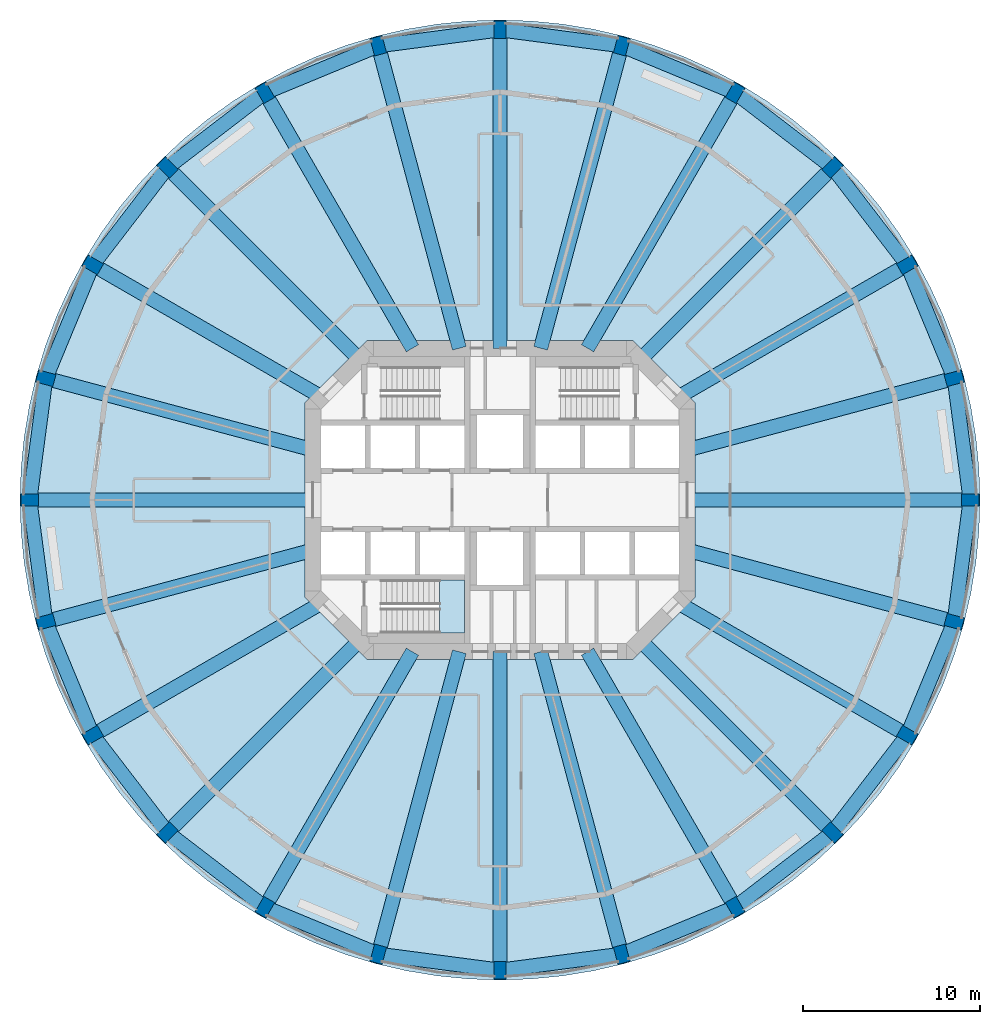
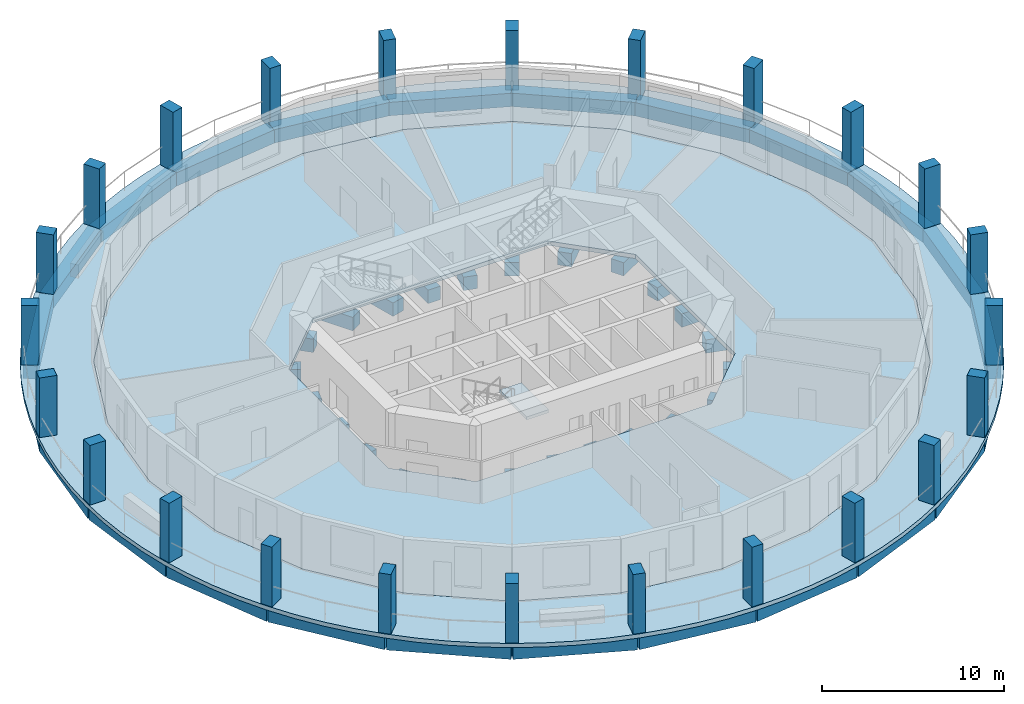
# One storey, part 1 of 9: 48 beams, 24 columns, 3 slabs, 1 element without a shape of its own.
"""IFC4 building model written with IfcOpenShell, lengths in metres."""

from ifc_helpers import new_model, si_unit, direction, frame, origin, origin_2d, place, context, subcontext, project, spatial, polyline, rectangle, outline, extrude, material, layer, layer_set, material_profile, profile_set, type_object, element, aggregate, save


model = new_model("IFC4")

# Units and contexts
model_context = context("Model", 3, precision=1e-05, world=origin(), true_north=direction((0.0, 1.0)))
body_context = subcontext(model_context, "Body", "Model", "MODEL_VIEW")
ifc_project = project(units=[si_unit("LENGTHUNIT", "METRE"), si_unit("AREAUNIT", "SQUARE_METRE"), si_unit("VOLUMEUNIT", "CUBIC_METRE"), si_unit("PLANEANGLEUNIT", "RADIAN"), si_unit("MASSUNIT", "GRAM", prefix="KILO")], contexts=[model_context])

# Site, building, storey
site_placement = place(None, origin())
site = spatial("IfcSite", under=ifc_project, at=site_placement, CompositionType="ELEMENT")
building_placement = place(site_placement, origin())
building = spatial("IfcBuilding", under=site, at=building_placement, Name="Torre Triforio", CompositionType="ELEMENT")
storey_placement = place(building_placement, frame((0.0, 0.0, 51.0)))
storey = spatial("IfcBuildingStorey", under=building, at=storey_placement, Name="L10", CompositionType="ELEMENT", Elevation=51.0)

# Columns
ifc_material_1 = material(Name="Concrete C70", Category="concrete")
ifc_material_profile_1 = material_profile(ifc_material_1, rectangle(XDim=0.699951171875, YDim=1.0, at=origin_2d()), Name="RC 700x1000")
ifc_profile_set_1 = profile_set([ifc_material_profile_1], Name="Concrete C70")
column_type = type_object("IfcColumnType", Name="Pier RC 700x1000 C70", PredefinedType="COLUMN", material=ifc_profile_set_1)
for number, where, z_axis, x_axis, name in (
    (1, (26.5, 0.0, 0.0), (0.0, 0.0, 1.0), (0.0, 1.0, 0.0), "COL.R.L10.00"),
    (2, (25.596923828125, 6.858642578125, 0.0), (0.0, 0.0, 1.0), (-0.258819045103, 0.965925826289, 0.0), "COL.R.L10.01"),
    (3, (22.94970703125, 13.25, 0.0), (0.0, 0.0, 1.0), (-0.5, 0.866025403784, 0.0), "COL.R.L10.02"),
    (4, (18.73828125, 18.73828125, 0.0), (0.0, 0.0, 1.0), (-0.707106781187, 0.707106781187, 0.0), "COL.R.L10.03"),
    (5, (13.25, 22.94970703125, 0.0), (0.0, 0.0, 1.0), (-0.866025403784, 0.5, 0.0), "COL.R.L10.04"),
    (6, (6.858642578125, 25.596923828125, 0.0), (0.0, 0.0, 1.0), (-0.965925826289, 0.258819045103, 0.0), "COL.R.L10.05"),
    (7, (0.0, 26.5, 0.0), (0.0, 0.0, 1.0), (-1.0, 0.0, 0.0), "COL.R.L10.06"),
    (8, (-6.858642578125, 25.596923828125, 0.0), (0.0, 0.0, 1.0), (-0.965925826289, -0.258819045103, 0.0), "COL.R.L10.07"),
    (9, (-13.25, 22.94970703125, 0.0), (0.0, 0.0, 1.0), (-0.866025403784, -0.5, 0.0), "COL.R.L10.08"),
    (10, (-18.73828125, 18.73828125, 0.0), (0.0, 0.0, 1.0), (-0.707106781187, -0.707106781187, 0.0), "COL.R.L10.09"),
    (11, (-22.94970703125, 13.25, 0.0), (0.0, 0.0, 1.0), (-0.5, -0.866025403784, 0.0), "COL.R.L10.10"),
    (12, (-25.596923828125, 6.858642578125, 0.0), (0.0, 0.0, 1.0), (-0.258819045103, -0.965925826289, 0.0), "COL.R.L10.11"),
    (13, (-26.5, 0.0, 0.0), (0.0, 0.0, 1.0), (0.0, -1.0, 0.0), "COL.R.L10.12"),
    (14, (-25.596923828125, -6.858642578125, 0.0), (0.0, 0.0, 1.0), (0.258819045103, -0.965925826289, 0.0), "COL.R.L10.13"),
    (15, (-22.94970703125, -13.25, 0.0), (0.0, 0.0, 1.0), (0.5, -0.866025403784, 0.0), "COL.R.L10.14"),
    (16, (-18.73828125, -18.73828125, 0.0), (0.0, 0.0, 1.0), (0.707106781187, -0.707106781187, 0.0), "COL.R.L10.15"),
    (17, (-13.25, -22.94970703125, 0.0), (0.0, 0.0, 1.0), (0.866025403784, -0.5, 0.0), "COL.R.L10.16"),
    (18, (-6.858642578125, -25.596923828125, 0.0), (0.0, 0.0, 1.0), (0.965925826289, -0.258819045103, 0.0), "COL.R.L10.17"),
    (19, (0.0, -26.5, 0.0), (0.0, 0.0, 1.0), (1.0, 0.0, 0.0), "COL.R.L10.18"),
    (20, (6.858642578125, -25.596923828125, 0.0), (0.0, 0.0, 1.0), (0.965925826289, 0.258819045103, 0.0), "COL.R.L10.19"),
    (21, (13.25, -22.94970703125, 0.0), (0.0, 0.0, 1.0), (0.866025403784, 0.5, 0.0), "COL.R.L10.20"),
    (22, (18.73828125, -18.73828125, 0.0), (0.0, 0.0, 1.0), (0.707106781187, 0.707106781187, 0.0), "COL.R.L10.21"),
    (23, (22.94970703125, -13.25, 0.0), (0.0, 0.0, 1.0), (0.5, 0.866025403784, 0.0), "COL.R.L10.22"),
    (24, (25.596923828125, -6.858642578125, 0.0), (0.0, 0.0, 1.0), (0.258819045103, 0.965925826289, 0.0), "COL.R.L10.23"),
):
    element("IfcColumn", number, at=place(storey_placement, frame(where, z_axis=z_axis, x_axis=x_axis)), inside=storey, type_object=column_type, Name=name, PredefinedType="COLUMN", context=body_context, shape_type="SweptSolid", body=[
        extrude(rectangle(XDim=0.699951171875, YDim=1.0, at=origin_2d()), origin(), (0.0, 0.0, 1.0), 4.0),
    ])

# Beams
ifc_material_2 = material(Name="Concrete C50", Category="concrete")
ifc_material_profile_2 = material_profile(ifc_material_2, rectangle(XDim=0.800048828125, YDim=0.89990234375, at=origin_2d()), Name="RC 800x900")
ifc_profile_set_2 = profile_set([ifc_material_profile_2], Name="Concrete C50")
beam_type_1 = type_object("IfcBeamType", Name="Radial beam RC 800x900 C50", PredefinedType="BEAM", material=ifc_profile_set_2)
beam_1_placement = place(storey_placement, frame((10.550048828125, 0.0, -0.72998046875), z_axis=(1.0, 0.0, 0.0), x_axis=(0.0, 1.0, 0.0)))
element("IfcBeam", 25, at=beam_1_placement, inside=storey, type_object=beam_type_1, Name="BM.R.L10.00", PredefinedType="BEAM", context=body_context, shape_type="SweptSolid", body=[
    extrude(rectangle(XDim=0.800048828125, YDim=0.89990234375, at=origin_2d()), origin(), (0.0, 0.0, 1.0), 15.949951171875),
])
beam_2_placement = place(storey_placement, frame((10.550048828125, 2.826904296875, -0.72998046875), z_axis=(0.965926784764, 0.258815467997, 0.0), x_axis=(-0.258815467997, 0.965926784764, 0.0)))
element("IfcBeam", 26, at=beam_2_placement, inside=storey, type_object=beam_type_1, Name="BM.R.L10.01", PredefinedType="BEAM", context=body_context, shape_type="SweptSolid", body=[
    extrude(rectangle(XDim=0.800048828125, YDim=0.89990234375, at=origin_2d()), origin(), (0.0, 0.0, 1.0), 15.57763671875),
])
beam_3_placement = place(storey_placement, frame((10.039794921875, 5.796630859375, -0.72998046875), z_axis=(0.866030402573, 0.499991341745, 0.0), x_axis=(-0.499991341745, 0.866030402573, 0.0)))
element("IfcBeam", 27, at=beam_3_placement, inside=storey, type_object=beam_type_1, Name="BM.R.L10.02", PredefinedType="BEAM", context=body_context, shape_type="SweptSolid", body=[
    extrude(rectangle(XDim=0.800048828125, YDim=0.89990234375, at=origin_2d()), origin(), (0.0, 0.0, 1.0), 14.906982421875),
])
beam_4_placement = place(storey_placement, frame((7.918212890625, 7.918212890625, -0.72998046875), z_axis=(0.707106781187, 0.707106781187, 0.0), x_axis=(-0.707106781187, 0.707106781187, 0.0)))
element("IfcBeam", 28, at=beam_4_placement, inside=storey, type_object=beam_type_1, Name="BM.R.L10.03", PredefinedType="BEAM", context=body_context, shape_type="SweptSolid", body=[
    extrude(rectangle(XDim=0.800048828125, YDim=0.89990234375, at=origin_2d()), origin(), (0.0, 0.0, 1.0), 15.302001953125),
])
beam_5_placement = place(storey_placement, frame((4.936279296875, 8.550048828125, -0.72998046875), z_axis=(0.500003345241, 0.8660234724, 0.0), x_axis=(-0.8660234724, 0.500003345241, 0.0)))
element("IfcBeam", 29, at=beam_5_placement, inside=storey, type_object=beam_type_1, Name="BM.R.L10.04", PredefinedType="BEAM", context=body_context, shape_type="SweptSolid", body=[
    extrude(rectangle(XDim=0.800048828125, YDim=0.89990234375, at=origin_2d()), origin(), (0.0, 0.0, 1.0), 16.62744140625),
])
beam_6_placement = place(storey_placement, frame((2.291015625, 8.550048828125, -0.72998046875), z_axis=(0.258815374176, 0.965926809903, 0.0), x_axis=(-0.965926809903, 0.258815374176, 0.0)))
element("IfcBeam", 30, at=beam_6_placement, inside=storey, type_object=beam_type_1, Name="BM.R.L10.05", PredefinedType="BEAM", context=body_context, shape_type="SweptSolid", body=[
    extrude(rectangle(XDim=0.800048828125, YDim=0.89990234375, at=origin_2d()), origin(), (0.0, 0.0, 1.0), 17.648193359375),
])
beam_7_placement = place(storey_placement, frame((0.0, 8.550048828125, -0.72998046875), z_axis=(0.0, 1.0, 0.0), x_axis=(-1.0, 0.0, 0.0)))
element("IfcBeam", 31, at=beam_7_placement, inside=storey, type_object=beam_type_1, Name="BM.R.L10.06", PredefinedType="BEAM", context=body_context, shape_type="SweptSolid", body=[
    extrude(rectangle(XDim=0.800048828125, YDim=0.89990234375, at=origin_2d()), origin(), (0.0, 0.0, 1.0), 17.949951171875),
])
beam_8_placement = place(storey_placement, frame((-2.291015625, 8.550048828125, -0.72998046875), z_axis=(-0.258815374176, 0.965926809903, 0.0), x_axis=(-0.965926809903, -0.258815374176, 0.0)))
element("IfcBeam", 32, at=beam_8_placement, inside=storey, type_object=beam_type_1, Name="BM.R.L10.07", PredefinedType="BEAM", context=body_context, shape_type="SweptSolid", body=[
    extrude(rectangle(XDim=0.800048828125, YDim=0.89990234375, at=origin_2d()), origin(), (0.0, 0.0, 1.0), 17.648193359375),
])
beam_9_placement = place(storey_placement, frame((-4.936279296875, 8.550048828125, -0.72998046875), z_axis=(-0.500003345241, 0.8660234724, 0.0), x_axis=(-0.8660234724, -0.500003345241, 0.0)))
element("IfcBeam", 33, at=beam_9_placement, inside=storey, type_object=beam_type_1, Name="BM.R.L10.08", PredefinedType="BEAM", context=body_context, shape_type="SweptSolid", body=[
    extrude(rectangle(XDim=0.800048828125, YDim=0.89990234375, at=origin_2d()), origin(), (0.0, 0.0, 1.0), 16.62744140625),
])
beam_10_placement = place(storey_placement, frame((-7.918212890625, 7.918212890625, -0.72998046875), z_axis=(-0.707106781187, 0.707106781187, 0.0), x_axis=(-0.707106781187, -0.707106781187, 0.0)))
element("IfcBeam", 34, at=beam_10_placement, inside=storey, type_object=beam_type_1, Name="BM.R.L10.09", PredefinedType="BEAM", context=body_context, shape_type="SweptSolid", body=[
    extrude(rectangle(XDim=0.800048828125, YDim=0.89990234375, at=origin_2d()), origin(), (0.0, 0.0, 1.0), 15.302001953125),
])
beam_11_placement = place(storey_placement, frame((-10.039794921875, 5.796630859375, -0.72998046875), z_axis=(-0.866030402573, 0.499991341745, 0.0), x_axis=(-0.499991341745, -0.866030402573, 0.0)))
element("IfcBeam", 35, at=beam_11_placement, inside=storey, type_object=beam_type_1, Name="BM.R.L10.10", PredefinedType="BEAM", context=body_context, shape_type="SweptSolid", body=[
    extrude(rectangle(XDim=0.800048828125, YDim=0.89990234375, at=origin_2d()), origin(), (0.0, 0.0, 1.0), 14.906982421875),
])
beam_12_placement = place(storey_placement, frame((-10.550048828125, 2.826904296875, -0.72998046875), z_axis=(-0.965926784764, 0.258815467997, 0.0), x_axis=(-0.258815467997, -0.965926784764, 0.0)))
element("IfcBeam", 36, at=beam_12_placement, inside=storey, type_object=beam_type_1, Name="BM.R.L10.11", PredefinedType="BEAM", context=body_context, shape_type="SweptSolid", body=[
    extrude(rectangle(XDim=0.800048828125, YDim=0.89990234375, at=origin_2d()), origin(), (0.0, 0.0, 1.0), 15.57763671875),
])
beam_13_placement = place(storey_placement, frame((-10.550048828125, 0.0, -0.72998046875), z_axis=(-1.0, 0.0, 0.0), x_axis=(0.0, -1.0, 0.0)))
element("IfcBeam", 37, at=beam_13_placement, inside=storey, type_object=beam_type_1, Name="BM.R.L10.12", PredefinedType="BEAM", context=body_context, shape_type="SweptSolid", body=[
    extrude(rectangle(XDim=0.800048828125, YDim=0.89990234375, at=origin_2d()), origin(), (0.0, 0.0, 1.0), 15.949951171875),
])
beam_14_placement = place(storey_placement, frame((-10.550048828125, -2.826904296875, -0.72998046875), z_axis=(-0.965926784764, -0.258815467997, 0.0), x_axis=(0.258815467997, -0.965926784764, 0.0)))
element("IfcBeam", 38, at=beam_14_placement, inside=storey, type_object=beam_type_1, Name="BM.R.L10.13", PredefinedType="BEAM", context=body_context, shape_type="SweptSolid", body=[
    extrude(rectangle(XDim=0.800048828125, YDim=0.89990234375, at=origin_2d()), origin(), (0.0, 0.0, 1.0), 15.57763671875),
])
beam_15_placement = place(storey_placement, frame((-10.039794921875, -5.796630859375, -0.72998046875), z_axis=(-0.866030402573, -0.499991341745, 0.0), x_axis=(0.499991341745, -0.866030402573, 0.0)))
element("IfcBeam", 39, at=beam_15_placement, inside=storey, type_object=beam_type_1, Name="BM.R.L10.14", PredefinedType="BEAM", context=body_context, shape_type="SweptSolid", body=[
    extrude(rectangle(XDim=0.800048828125, YDim=0.89990234375, at=origin_2d()), origin(), (0.0, 0.0, 1.0), 14.906982421875),
])
beam_16_placement = place(storey_placement, frame((-7.918212890625, -7.918212890625, -0.72998046875), z_axis=(-0.707106781187, -0.707106781187, 0.0), x_axis=(0.707106781187, -0.707106781187, 0.0)))
element("IfcBeam", 40, at=beam_16_placement, inside=storey, type_object=beam_type_1, Name="BM.R.L10.15", PredefinedType="BEAM", context=body_context, shape_type="SweptSolid", body=[
    extrude(rectangle(XDim=0.800048828125, YDim=0.89990234375, at=origin_2d()), origin(), (0.0, 0.0, 1.0), 15.302001953125),
])
beam_17_placement = place(storey_placement, frame((-4.936279296875, -8.550048828125, -0.72998046875), z_axis=(-0.500003345241, -0.8660234724, 0.0), x_axis=(0.8660234724, -0.500003345241, 0.0)))
element("IfcBeam", 41, at=beam_17_placement, inside=storey, type_object=beam_type_1, Name="BM.R.L10.16", PredefinedType="BEAM", context=body_context, shape_type="SweptSolid", body=[
    extrude(rectangle(XDim=0.800048828125, YDim=0.89990234375, at=origin_2d()), origin(), (0.0, 0.0, 1.0), 16.62744140625),
])
beam_18_placement = place(storey_placement, frame((-2.291015625, -8.550048828125, -0.72998046875), z_axis=(-0.258815374176, -0.965926809903, 0.0), x_axis=(0.965926809903, -0.258815374176, 0.0)))
element("IfcBeam", 42, at=beam_18_placement, inside=storey, type_object=beam_type_1, Name="BM.R.L10.17", PredefinedType="BEAM", context=body_context, shape_type="SweptSolid", body=[
    extrude(rectangle(XDim=0.800048828125, YDim=0.89990234375, at=origin_2d()), origin(), (0.0, 0.0, 1.0), 17.648193359375),
])
beam_19_placement = place(storey_placement, frame((0.0, -8.550048828125, -0.72998046875), z_axis=(0.0, -1.0, 0.0), x_axis=(1.0, 0.0, 0.0)))
element("IfcBeam", 43, at=beam_19_placement, inside=storey, type_object=beam_type_1, Name="BM.R.L10.18", PredefinedType="BEAM", context=body_context, shape_type="SweptSolid", body=[
    extrude(rectangle(XDim=0.800048828125, YDim=0.89990234375, at=origin_2d()), origin(), (0.0, 0.0, 1.0), 17.949951171875),
])
beam_20_placement = place(storey_placement, frame((2.291015625, -8.550048828125, -0.72998046875), z_axis=(0.258815374176, -0.965926809903, 0.0), x_axis=(0.965926809903, 0.258815374176, 0.0)))
element("IfcBeam", 44, at=beam_20_placement, inside=storey, type_object=beam_type_1, Name="BM.R.L10.19", PredefinedType="BEAM", context=body_context, shape_type="SweptSolid", body=[
    extrude(rectangle(XDim=0.800048828125, YDim=0.89990234375, at=origin_2d()), origin(), (0.0, 0.0, 1.0), 17.648193359375),
])
beam_21_placement = place(storey_placement, frame((4.936279296875, -8.550048828125, -0.72998046875), z_axis=(0.500003345241, -0.8660234724, 0.0), x_axis=(0.8660234724, 0.500003345241, 0.0)))
element("IfcBeam", 45, at=beam_21_placement, inside=storey, type_object=beam_type_1, Name="BM.R.L10.20", PredefinedType="BEAM", context=body_context, shape_type="SweptSolid", body=[
    extrude(rectangle(XDim=0.800048828125, YDim=0.89990234375, at=origin_2d()), origin(), (0.0, 0.0, 1.0), 16.62744140625),
])
beam_22_placement = place(storey_placement, frame((7.918212890625, -7.918212890625, -0.72998046875), z_axis=(0.707106781187, -0.707106781187, 0.0), x_axis=(0.707106781187, 0.707106781187, 0.0)))
element("IfcBeam", 46, at=beam_22_placement, inside=storey, type_object=beam_type_1, Name="BM.R.L10.21", PredefinedType="BEAM", context=body_context, shape_type="SweptSolid", body=[
    extrude(rectangle(XDim=0.800048828125, YDim=0.89990234375, at=origin_2d()), origin(), (0.0, 0.0, 1.0), 15.302001953125),
])
beam_23_placement = place(storey_placement, frame((10.039794921875, -5.796630859375, -0.72998046875), z_axis=(0.866030402573, -0.499991341745, 0.0), x_axis=(0.499991341745, 0.866030402573, 0.0)))
element("IfcBeam", 47, at=beam_23_placement, inside=storey, type_object=beam_type_1, Name="BM.R.L10.22", PredefinedType="BEAM", context=body_context, shape_type="SweptSolid", body=[
    extrude(rectangle(XDim=0.800048828125, YDim=0.89990234375, at=origin_2d()), origin(), (0.0, 0.0, 1.0), 14.906982421875),
])
beam_24_placement = place(storey_placement, frame((10.550048828125, -2.826904296875, -0.72998046875), z_axis=(0.965926784764, -0.258815467997, 0.0), x_axis=(0.258815467997, 0.965926784764, 0.0)))
element("IfcBeam", 48, at=beam_24_placement, inside=storey, type_object=beam_type_1, Name="BM.R.L10.23", PredefinedType="BEAM", context=body_context, shape_type="SweptSolid", body=[
    extrude(rectangle(XDim=0.800048828125, YDim=0.89990234375, at=origin_2d()), origin(), (0.0, 0.0, 1.0), 15.57763671875),
])
ifc_material_profile_3 = material_profile(ifc_material_2, rectangle(XDim=0.800048828125, YDim=0.89990234375, at=origin_2d()), Name="RC 800x900")
ifc_profile_set_3 = profile_set([ifc_material_profile_3], Name="Concrete C50")
beam_type_2 = type_object("IfcBeamType", Name="Spandrel beam RC 800x900 C50", PredefinedType="SPANDREL", material=ifc_profile_set_3)
beam_25_placement = place(storey_placement, frame((26.5, 0.0, -0.72998046875), z_axis=(-0.130543064996, 0.991442639885, 0.0), x_axis=(-0.991442639885, -0.130543064996, 0.0)))
element("IfcBeam", 49, at=beam_25_placement, inside=storey, type_object=beam_type_2, Name="BM.S.L10.00", PredefinedType="SPANDREL", context=body_context, shape_type="SweptSolid", body=[
    extrude(rectangle(XDim=0.800048828125, YDim=0.89990234375, at=origin_2d()), origin(), (0.0, 0.0, 1.0), 6.917724609375),
])
for number, where, z_axis, x_axis, name in (
    (50, (25.596923828125, 6.858642578125, -0.72998046875), (-0.382662441128, 0.923888227087, 0.0), (-0.923888227087, -0.382662441128, 0.0), "BM.S.L10.01"),
    (51, (22.94970703125, 13.25, -0.72998046875), (-0.608772297796, 0.793345000259, 0.0), (-0.793345000259, -0.608772297796, 0.0), "BM.S.L10.02"),
    (52, (18.73828125, 18.73828125, -0.72998046875), (-0.793345000259, 0.608772297796, 0.0), (-0.608772297796, -0.793345000259, 0.0), "BM.S.L10.03"),
    (53, (13.25, 22.94970703125, -0.72998046875), (-0.923888227087, 0.382662441128, 0.0), (-0.382662441128, -0.923888227087, 0.0), "BM.S.L10.04"),
):
    element("IfcBeam", number, at=place(storey_placement, frame(where, z_axis=z_axis, x_axis=x_axis)), inside=storey, type_object=beam_type_2, Name=name, PredefinedType="SPANDREL", context=body_context, shape_type="SweptSolid", body=[
        extrude(rectangle(XDim=0.800048828125, YDim=0.89990234375, at=origin_2d()), origin(), (0.0, 0.0, 1.0), 6.91796875),
    ])
for number, where, z_axis, x_axis, name in (
    (54, (6.858642578125, 25.596923828125, -0.72998046875), (-0.991442639885, 0.130543064996, 0.0), (-0.130543064996, -0.991442639885, 0.0), "BM.S.L10.05"),
    (55, (0.0, 26.5, -0.72998046875), (-0.991442639885, -0.130543064996, 0.0), (0.130543064996, -0.991442639885, 0.0), "BM.S.L10.06"),
):
    element("IfcBeam", number, at=place(storey_placement, frame(where, z_axis=z_axis, x_axis=x_axis)), inside=storey, type_object=beam_type_2, Name=name, PredefinedType="SPANDREL", context=body_context, shape_type="SweptSolid", body=[
        extrude(rectangle(XDim=0.800048828125, YDim=0.89990234375, at=origin_2d()), origin(), (0.0, 0.0, 1.0), 6.917724609375),
    ])
for number, where, z_axis, x_axis, name in (
    (56, (-6.858642578125, 25.596923828125, -0.72998046875), (-0.923888227087, -0.382662441128, 0.0), (0.382662441128, -0.923888227087, 0.0), "BM.S.L10.07"),
    (57, (-13.25, 22.94970703125, -0.72998046875), (-0.793345000259, -0.608772297796, 0.0), (0.608772297796, -0.793345000259, 0.0), "BM.S.L10.08"),
    (58, (-18.73828125, 18.73828125, -0.72998046875), (-0.608772297796, -0.793345000259, 0.0), (0.793345000259, -0.608772297796, 0.0), "BM.S.L10.09"),
    (59, (-22.94970703125, 13.25, -0.72998046875), (-0.382662441128, -0.923888227087, 0.0), (0.923888227087, -0.382662441128, 0.0), "BM.S.L10.10"),
):
    element("IfcBeam", number, at=place(storey_placement, frame(where, z_axis=z_axis, x_axis=x_axis)), inside=storey, type_object=beam_type_2, Name=name, PredefinedType="SPANDREL", context=body_context, shape_type="SweptSolid", body=[
        extrude(rectangle(XDim=0.800048828125, YDim=0.89990234375, at=origin_2d()), origin(), (0.0, 0.0, 1.0), 6.91796875),
    ])
for number, where, z_axis, x_axis, name in (
    (60, (-25.596923828125, 6.858642578125, -0.72998046875), (-0.130543064996, -0.991442639885, 0.0), (0.991442639885, -0.130543064996, 0.0), "BM.S.L10.11"),
    (61, (-26.5, 0.0, -0.72998046875), (0.130543064996, -0.991442639885, 0.0), (0.991442639885, 0.130543064996, 0.0), "BM.S.L10.12"),
):
    element("IfcBeam", number, at=place(storey_placement, frame(where, z_axis=z_axis, x_axis=x_axis)), inside=storey, type_object=beam_type_2, Name=name, PredefinedType="SPANDREL", context=body_context, shape_type="SweptSolid", body=[
        extrude(rectangle(XDim=0.800048828125, YDim=0.89990234375, at=origin_2d()), origin(), (0.0, 0.0, 1.0), 6.917724609375),
    ])
for number, where, z_axis, x_axis, name in (
    (62, (-25.596923828125, -6.858642578125, -0.72998046875), (0.382662441128, -0.923888227087, 0.0), (0.923888227087, 0.382662441128, 0.0), "BM.S.L10.13"),
    (63, (-22.94970703125, -13.25, -0.72998046875), (0.608772297796, -0.793345000259, 0.0), (0.793345000259, 0.608772297796, 0.0), "BM.S.L10.14"),
    (64, (-18.73828125, -18.73828125, -0.72998046875), (0.793345000259, -0.608772297796, 0.0), (0.608772297796, 0.793345000259, 0.0), "BM.S.L10.15"),
    (65, (-13.25, -22.94970703125, -0.72998046875), (0.923888227087, -0.382662441128, 0.0), (0.382662441128, 0.923888227087, 0.0), "BM.S.L10.16"),
):
    element("IfcBeam", number, at=place(storey_placement, frame(where, z_axis=z_axis, x_axis=x_axis)), inside=storey, type_object=beam_type_2, Name=name, PredefinedType="SPANDREL", context=body_context, shape_type="SweptSolid", body=[
        extrude(rectangle(XDim=0.800048828125, YDim=0.89990234375, at=origin_2d()), origin(), (0.0, 0.0, 1.0), 6.91796875),
    ])
for number, where, z_axis, x_axis, name in (
    (66, (-6.858642578125, -25.596923828125, -0.72998046875), (0.991442639885, -0.130543064996, 0.0), (0.130543064996, 0.991442639885, 0.0), "BM.S.L10.17"),
    (67, (0.0, -26.5, -0.72998046875), (0.991442639885, 0.130543064996, 0.0), (-0.130543064996, 0.991442639885, 0.0), "BM.S.L10.18"),
):
    element("IfcBeam", number, at=place(storey_placement, frame(where, z_axis=z_axis, x_axis=x_axis)), inside=storey, type_object=beam_type_2, Name=name, PredefinedType="SPANDREL", context=body_context, shape_type="SweptSolid", body=[
        extrude(rectangle(XDim=0.800048828125, YDim=0.89990234375, at=origin_2d()), origin(), (0.0, 0.0, 1.0), 6.917724609375),
    ])
for number, where, z_axis, x_axis, name in (
    (68, (6.858642578125, -25.596923828125, -0.72998046875), (0.923888227087, 0.382662441128, 0.0), (-0.382662441128, 0.923888227087, 0.0), "BM.S.L10.19"),
    (69, (13.25, -22.94970703125, -0.72998046875), (0.793345000259, 0.608772297796, 0.0), (-0.608772297796, 0.793345000259, 0.0), "BM.S.L10.20"),
    (70, (18.73828125, -18.73828125, -0.72998046875), (0.608772297796, 0.793345000259, 0.0), (-0.793345000259, 0.608772297796, 0.0), "BM.S.L10.21"),
    (71, (22.94970703125, -13.25, -0.72998046875), (0.382662441128, 0.923888227087, 0.0), (-0.923888227087, 0.382662441128, 0.0), "BM.S.L10.22"),
):
    element("IfcBeam", number, at=place(storey_placement, frame(where, z_axis=z_axis, x_axis=x_axis)), inside=storey, type_object=beam_type_2, Name=name, PredefinedType="SPANDREL", context=body_context, shape_type="SweptSolid", body=[
        extrude(rectangle(XDim=0.800048828125, YDim=0.89990234375, at=origin_2d()), origin(), (0.0, 0.0, 1.0), 6.91796875),
    ])
beam_26_placement = place(storey_placement, frame((25.596923828125, -6.858642578125, -0.72998046875), z_axis=(0.130543064996, 0.991442639885, 0.0), x_axis=(-0.991442639885, 0.130543064996, 0.0)))
element("IfcBeam", 72, at=beam_26_placement, inside=storey, type_object=beam_type_2, Name="BM.S.L10.23", PredefinedType="SPANDREL", context=body_context, shape_type="SweptSolid", body=[
    extrude(rectangle(XDim=0.800048828125, YDim=0.89990234375, at=origin_2d()), origin(), (0.0, 0.0, 1.0), 6.917724609375),
])

# Slabs
ifc_layer_1 = layer(ifc_material_2, 0.280029296875)
ifc_layer_set_1 = layer_set([ifc_layer_1], Name="Concrete C50")
slab_type_1 = type_object("IfcSlabType", Name="Floor slab 280 C50", PredefinedType="FLOOR", material=ifc_layer_set_1)
slab_1_placement = place(storey_placement, frame((0.0, 0.0, -0.280029296875)))
element("IfcSlab", 73, at=slab_1_placement, inside=storey, type_object=slab_type_1, Name="SL.L10", PredefinedType="FLOOR", context=body_context, shape_type="SweptSolid", body=[
    extrude(outline(polyline([(19.918701171875, -11.5), (22.21630859375, -5.952880859375), (23.0, 0.0), (22.21630859375, 5.952880859375), (19.918701171875, 11.5), (16.263427734375, 16.263427734375), (11.5, 19.918701171875), (5.952880859375, 22.21630859375), (0.0, 23.0), (-5.952880859375, 22.21630859375), (-11.5, 19.918701171875), (-16.263427734375, 16.263427734375), (-19.918701171875, 11.5), (-22.21630859375, 5.952880859375), (-23.0, 0.0), (-22.21630859375, -5.952880859375), (-19.918701171875, -11.5), (-16.263427734375, -16.263427734375), (-11.5, -19.918701171875), (-5.952880859375, -22.21630859375), (0.0, -23.0), (5.952880859375, -22.21630859375), (11.5, -19.918701171875), (16.263427734375, -16.263427734375), (19.918701171875, -11.5)]), holes=[polyline([(11.0, 5.472900390625), (11.0, -5.472900390625), (7.472900390625, -9.0), (-7.472900390625, -9.0), (-11.0, -5.472900390625), (-11.0, 5.472900390625), (-7.472900390625, 9.0), (7.472900390625, 9.0), (11.0, 5.472900390625)])]), origin(), (0.0, 0.0, 1.0), 0.280029296875),
])
ifc_layer_2 = layer(ifc_material_2, 0.280029296875)
ifc_layer_set_2 = layer_set([ifc_layer_2], Name="Concrete C50")
slab_type_2 = type_object("IfcSlabType", Name="Loggia slab 280 C50", PredefinedType="FLOOR", material=ifc_layer_set_2)
slab_2_placement = place(storey_placement, frame((0.0, 0.0, -0.280029296875)))
element("IfcSlab", 74, at=slab_2_placement, inside=storey, type_object=slab_type_2, Name="SL.L10.LG", PredefinedType="FLOOR", context=body_context, shape_type="SweptSolid", body=[
    extrude(outline(polyline([(26.9921875, -1.76904296875), (27.050048828125, 0.0), (26.9921875, 1.76904296875), (26.818603515625, 3.53076171875), (26.5302734375, 5.277099609375), (26.128173828125, 7.0009765625), (25.614501953125, 8.69482421875), (24.990966796875, 10.3515625), (24.260498046875, 11.9638671875), (23.426025390625, 13.52490234375), (22.4912109375, 15.028076171875), (21.460205078125, 16.467041015625), (20.337158203125, 17.835205078125), (19.127197265625, 19.127197265625), (17.835205078125, 20.337158203125), (16.467041015625, 21.460205078125), (15.028076171875, 22.4912109375), (13.52490234375, 23.426025390625), (11.9638671875, 24.260498046875), (10.3515625, 24.990966796875), (8.69482421875, 25.614501953125), (7.0009765625, 26.128173828125), (5.277099609375, 26.5302734375), (3.53076171875, 26.818603515625), (1.76904296875, 26.9921875), (0.0, 27.050048828125), (-1.76904296875, 26.9921875), (-3.53076171875, 26.818603515625), (-5.277099609375, 26.5302734375), (-7.0009765625, 26.128173828125), (-8.69482421875, 25.614501953125), (-10.3515625, 24.990966796875), (-11.9638671875, 24.260498046875), (-13.52490234375, 23.426025390625), (-15.028076171875, 22.4912109375), (-16.467041015625, 21.460205078125), (-17.835205078125, 20.337158203125), (-19.127197265625, 19.127197265625), (-20.337158203125, 17.835205078125), (-21.460205078125, 16.467041015625), (-22.4912109375, 15.028076171875), (-23.426025390625, 13.52490234375), (-24.260498046875, 11.9638671875), (-24.990966796875, 10.3515625), (-25.614501953125, 8.69482421875), (-26.128173828125, 7.0009765625), (-26.5302734375, 5.277099609375), (-26.818603515625, 3.53076171875), (-26.9921875, 1.76904296875), (-27.050048828125, 0.0), (-26.9921875, -1.76904296875), (-26.818603515625, -3.53076171875), (-26.5302734375, -5.277099609375), (-26.128173828125, -7.0009765625), (-25.614501953125, -8.69482421875), (-24.990966796875, -10.3515625), (-24.260498046875, -11.9638671875), (-23.426025390625, -13.52490234375), (-22.4912109375, -15.028076171875), (-21.460205078125, -16.467041015625), (-20.337158203125, -17.835205078125), (-19.127197265625, -19.127197265625), (-17.835205078125, -20.337158203125), (-16.467041015625, -21.460205078125), (-15.028076171875, -22.4912109375), (-13.52490234375, -23.426025390625), (-11.9638671875, -24.260498046875), (-10.3515625, -24.990966796875), (-8.69482421875, -25.614501953125), (-7.0009765625, -26.128173828125), (-5.277099609375, -26.5302734375), (-3.53076171875, -26.818603515625), (-1.76904296875, -26.9921875), (0.0, -27.050048828125), (1.76904296875, -26.9921875), (3.53076171875, -26.818603515625), (5.277099609375, -26.5302734375), (7.0009765625, -26.128173828125), (8.69482421875, -25.614501953125), (10.3515625, -24.990966796875), (11.9638671875, -24.260498046875), (13.52490234375, -23.426025390625), (15.028076171875, -22.4912109375), (16.467041015625, -21.460205078125), (17.835205078125, -20.337158203125), (19.127197265625, -19.127197265625), (20.337158203125, -17.835205078125), (21.460205078125, -16.467041015625), (22.4912109375, -15.028076171875), (23.426025390625, -13.52490234375), (24.260498046875, -11.9638671875), (24.990966796875, -10.3515625), (25.614501953125, -8.69482421875), (26.128173828125, -7.0009765625), (26.5302734375, -5.277099609375), (26.818603515625, -3.53076171875), (26.9921875, -1.76904296875)]), holes=[polyline([(22.21630859375, 5.952880859375), (23.0, 0.0), (22.21630859375, -5.952880859375), (19.918701171875, -11.5), (16.263427734375, -16.263427734375), (11.5, -19.918701171875), (5.952880859375, -22.21630859375), (0.0, -23.0), (-5.952880859375, -22.21630859375), (-11.5, -19.918701171875), (-16.263427734375, -16.263427734375), (-19.918701171875, -11.5), (-22.21630859375, -5.952880859375), (-23.0, 0.0), (-22.21630859375, 5.952880859375), (-19.918701171875, 11.5), (-16.263427734375, 16.263427734375), (-11.5, 19.918701171875), (-5.952880859375, 22.21630859375), (0.0, 23.0), (5.952880859375, 22.21630859375), (11.5, 19.918701171875), (16.263427734375, 16.263427734375), (19.918701171875, 11.5), (22.21630859375, 5.952880859375)])]), origin(), (0.0, 0.0, 1.0), 0.280029296875),
])

# Stair, slab
ifc_material_3 = material(Name="Concrete C40", Category="concrete")
stair_type = type_object("IfcStairType", Name="STAIR HALF-TURN", PredefinedType="HALF_TURN_STAIR", material=ifc_material_3)
stair_placement = place(storey_placement, origin())
stair = element("IfcStair", 75, at=stair_placement, inside=storey, type_object=stair_type, Name="Exit stair 3", PredefinedType="HALF_TURN_STAIR")
ifc_layer_3 = layer(ifc_material_3, 0.199951171875)
ifc_layer_set_3 = layer_set([ifc_layer_3], Name="Concrete C40")
slab_type_3 = type_object("IfcSlabType", Name="STAIR LANDING 200", PredefinedType="LANDING", material=ifc_layer_set_3)
slab_3_placement = place(storey_placement, frame((0.0, 0.0, 1.800048828125)))
slab_3 = element("IfcSlab", 76, at=slab_3_placement, type_object=slab_type_3, Name="ST3 landing 1", PredefinedType="LANDING", context=body_context, shape_type="SweptSolid", body=[
    extrude(outline(polyline([(-2.0, -7.5), (-2.0, -4.5), (-3.39990234375, -4.5), (-3.39990234375, -7.5), (-2.0, -7.5)])), origin(), (0.0, 0.0, 1.0), 0.199951171875),
])
aggregate(stair, [slab_3])

save(model, "model.ifc")
